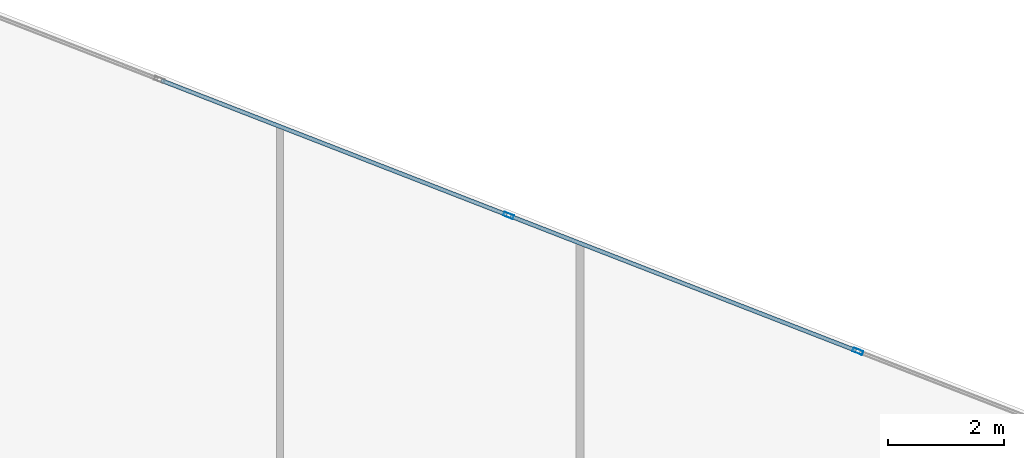
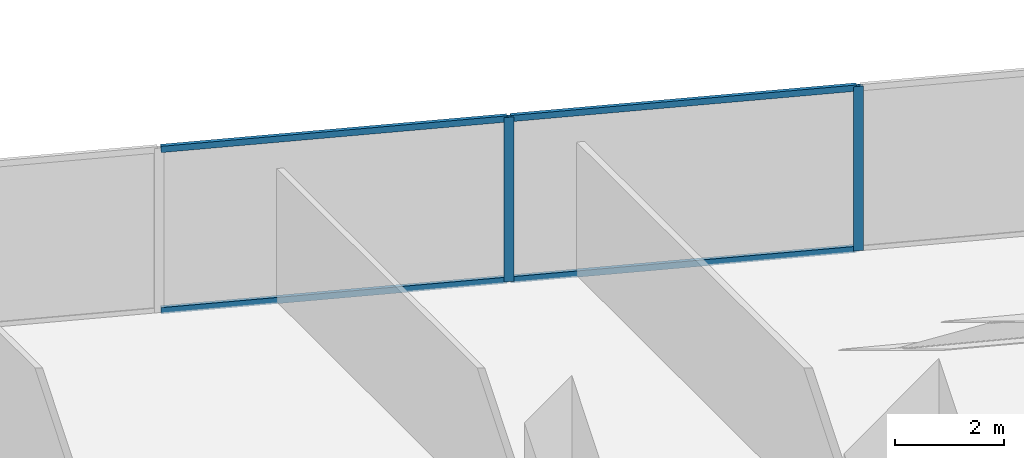
# One storey, part 20 of 26: 6 members, 1 element without a shape of its own.
"""IFC4 building model written with IfcOpenShell, lengths in metres."""

from ifc_helpers import new_model, si_unit, direction, frame, origin, origin_2d, place, context, subcontext, project, spatial, hollow_rectangle, extrude, source, transform, mapped, material, material_profile, profile_set, type_object, type_shapes, element, aggregate, save


model = new_model("IFC4")

# Units and contexts
model_context = context("Model", 3, precision=1e-05, world=origin(), true_north=direction((0.0, 1.0)))
body_context = subcontext(model_context, "Body", "Model", "MODEL_VIEW")
ifc_project = project(units=[si_unit("LENGTHUNIT", "METRE"), si_unit("AREAUNIT", "SQUARE_METRE"), si_unit("VOLUMEUNIT", "CUBIC_METRE"), si_unit("PLANEANGLEUNIT", "RADIAN"), si_unit("MASSUNIT", "GRAM", prefix="KILO")], contexts=[model_context])

# Site, building, storey
site_placement = place(None, origin())
site = spatial("IfcSite", under=ifc_project, at=site_placement, CompositionType="ELEMENT")
building_placement = place(site_placement, origin())
building = spatial("IfcBuilding", under=site, at=building_placement, Name="Krantzveldt Concourse Tower", CompositionType="ELEMENT")
storey_placement = place(building_placement, frame((0.0, 0.0, 133.5)))
storey = spatial("IfcBuildingStorey", under=building, at=storey_placement, Name="L32", CompositionType="ELEMENT", Elevation=133.5)

# Curtain wall, members
ifc_material = material(Name="Anodised aluminium 6063-T6", Category="aluminium")
curtain_wall_type = type_object("IfcCurtainWallType", Name="CW2", PredefinedType="USERDEFINED", material=ifc_material)
curtain_wall_placement = place(storey_placement, origin())
curtain_wall = element("IfcCurtainWall", 1, at=curtain_wall_placement, inside=storey, type_object=curtain_wall_type, Name="CW-L32-F14", ObjectType="UNITISED CURTAIN WALL", PredefinedType="USERDEFINED")
ifc_material_profile_1 = material_profile(ifc_material, hollow_rectangle(XDim=0.070068359375, YDim=0.179931640625, WallThickness=0.0048828125, at=origin_2d()), Name="Anodised aluminium 6063-T6", Category="aluminium")
ifc_profile_set_1 = profile_set([ifc_material_profile_1], Name="Anodised aluminium 6063-T6 - ALU-MULL 180x70x5")
member_type_1 = type_object("IfcMemberType", Name="CW-MUL-180", PredefinedType="MULLION", material=ifc_profile_set_1)
shared_shape_1 = source(origin(), body_context, "Body", "SweptSolid", [
    extrude(hollow_rectangle(XDim=0.070068359375, YDim=0.179931640625, WallThickness=0.0048828125, at=origin_2d()), origin(), (0.0, 0.0, 1.0), 3.669921875),
])
type_shapes(member_type_1, [shared_shape_1])
member_1_placement = place(storey_placement, frame((50.475341796875, 46.081298828125, 0.0), z_axis=(0.0, 0.0, 1.0), x_axis=(-0.362437952917, -0.93200790248, 0.0)))
member_1 = element("IfcMember", 2, at=member_1_placement, type_object=member_type_1, Name="CW-Z12 mullion 3", PredefinedType="MULLION", context=body_context, shape_type="MappedRepresentation", body=[
    mapped(shared_shape_1, transform((0.0, 0.0, 0.0), x_axis=(1.0, 0.0, 0.0), y_axis=(0.0, 1.0, 0.0), z_axis=(0.0, 0.0, 1.0), scale=1.0)),
])
member_2_placement = place(storey_placement, frame((44.448486328125, 48.425048828125, 0.0), z_axis=(0.0, 0.0, 1.0), x_axis=(-0.362437952917, -0.93200790248, 0.0)))
member_2 = element("IfcMember", 3, at=member_2_placement, type_object=member_type_1, Name="CW-Z12 mullion 4", PredefinedType="MULLION", context=body_context, shape_type="MappedRepresentation", body=[
    mapped(shared_shape_1, transform((0.0, 0.0, 0.0), x_axis=(1.0, 0.0, 0.0), y_axis=(0.0, 1.0, 0.0), z_axis=(0.0, 0.0, 1.0), scale=1.0)),
])
ifc_material_profile_2 = material_profile(ifc_material, hollow_rectangle(XDim=0.070068359375, YDim=0.139892578125, WallThickness=0.0048828125, at=origin_2d()), Name="Anodised aluminium 6063-T6", Category="aluminium")
ifc_profile_set_2 = profile_set([ifc_material_profile_2], Name="Anodised aluminium 6063-T6 - ALU-TRAN 140x70x5")
member_type_2 = type_object("IfcMemberType", Name="CW-TRN-150", PredefinedType="USERDEFINED", material=ifc_profile_set_2)
shared_shape_2 = source(origin(), body_context, "Body", "SweptSolid", [
    extrude(hollow_rectangle(XDim=0.070068359375, YDim=0.139892578125, WallThickness=0.0048828125, at=origin_2d()), origin(), (0.0, 0.0, 1.0), 6.396728515625),
])
member_3_placement = place(storey_placement, frame((50.44287109375, 46.093994140625, 0.034912109375), z_axis=(-0.932013266299, 0.362424159573, 0.0), x_axis=(-0.362424159573, -0.932013266299, 0.0)))
member_3 = element("IfcMember", 4, at=member_3_placement, type_object=member_type_2, Name="CW-Z12 transom 3.1", ObjectType="TRANSOM", PredefinedType="USERDEFINED", context=body_context, shape_type="MappedRepresentation", body=[
    mapped(shared_shape_2, transform((0.0, 0.0, 0.0), x_axis=(1.0, 0.0, 0.0), y_axis=(0.0, 1.0, 0.0), z_axis=(0.0, 0.0, 1.0), scale=1.0)),
])
member_4_placement = place(storey_placement, frame((50.44287109375, 46.093994140625, 3.635009765625), z_axis=(-0.932013266299, 0.362424159573, 0.0), x_axis=(-0.362424159573, -0.932013266299, 0.0)))
member_4 = element("IfcMember", 5, at=member_4_placement, type_object=member_type_2, Name="CW-Z12 transom 3.2", ObjectType="TRANSOM", PredefinedType="USERDEFINED", context=body_context, shape_type="MappedRepresentation", body=[
    mapped(shared_shape_2, transform((0.0, 0.0, 0.0), x_axis=(1.0, 0.0, 0.0), y_axis=(0.0, 1.0, 0.0), z_axis=(0.0, 0.0, 1.0), scale=1.0)),
])
shared_shape_3 = source(origin(), body_context, "Body", "SweptSolid", [
    extrude(hollow_rectangle(XDim=0.070068359375, YDim=0.139892578125, WallThickness=0.0048828125, at=origin_2d()), origin(), (0.0, 0.0, 1.0), 6.396484375),
])
type_shapes(member_type_2, [shared_shape_2, shared_shape_3])
member_5_placement = place(storey_placement, frame((44.415771484375, 48.437744140625, 0.034912109375), z_axis=(-0.932008252882, 0.36243705186, 0.0), x_axis=(-0.36243705186, -0.932008252882, 0.0)))
member_5 = element("IfcMember", 6, at=member_5_placement, type_object=member_type_2, Name="CW-Z12 transom 4.1", ObjectType="TRANSOM", PredefinedType="USERDEFINED", context=body_context, shape_type="MappedRepresentation", body=[
    mapped(shared_shape_3, transform((0.0, 0.0, 0.0), x_axis=(1.0, 0.0, 0.0), y_axis=(0.0, 1.0, 0.0), z_axis=(0.0, 0.0, 1.0), scale=1.0)),
])
member_6_placement = place(storey_placement, frame((44.415771484375, 48.437744140625, 3.635009765625), z_axis=(-0.932008252882, 0.36243705186, 0.0), x_axis=(-0.36243705186, -0.932008252882, 0.0)))
member_6 = element("IfcMember", 7, at=member_6_placement, type_object=member_type_2, Name="CW-Z12 transom 4.2", ObjectType="TRANSOM", PredefinedType="USERDEFINED", context=body_context, shape_type="MappedRepresentation", body=[
    mapped(shared_shape_3, transform((0.0, 0.0, 0.0), x_axis=(1.0, 0.0, 0.0), y_axis=(0.0, 1.0, 0.0), z_axis=(0.0, 0.0, 1.0), scale=1.0)),
])
aggregate(curtain_wall, [member_1, member_2, member_3, member_4, member_5, member_6])

save(model, "model.ifc")
